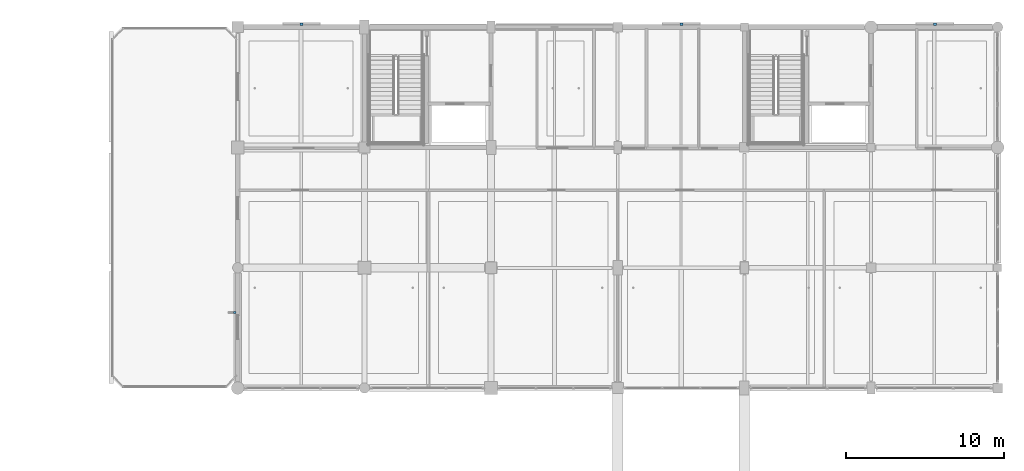
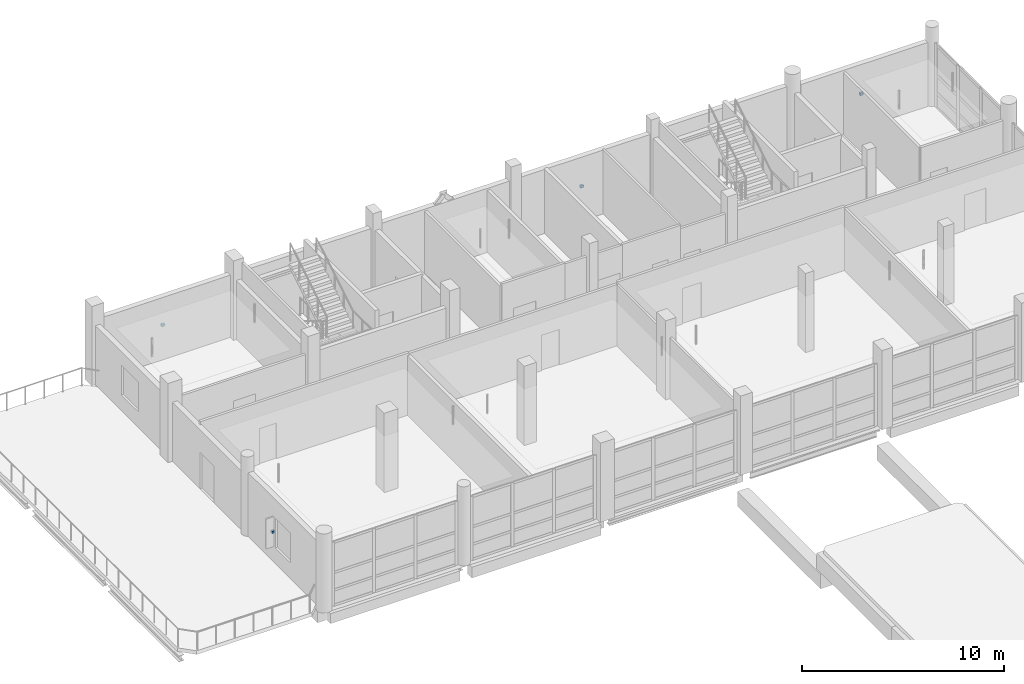
# One storey, part 96 of 107: 4 discrete accessories.
"""IFC4 building model written with IfcOpenShell, lengths in metres."""

from ifc_helpers import new_model, si_unit, direction, frame, origin, origin_2d, place, context, subcontext, project, spatial, rectangle, extrude, material, type_object, element, save


model = new_model("IFC4")

# Units and contexts
model_context = context("Model", 3, precision=1e-05, world=origin(), true_north=direction((0.0, 1.0)))
body_context = subcontext(model_context, "Body", "Model", "MODEL_VIEW")
ifc_project = project(units=[si_unit("LENGTHUNIT", "METRE"), si_unit("AREAUNIT", "SQUARE_METRE"), si_unit("VOLUMEUNIT", "CUBIC_METRE"), si_unit("PLANEANGLEUNIT", "RADIAN"), si_unit("MASSUNIT", "GRAM", prefix="KILO")], contexts=[model_context])

# Site, building, storey
site_placement = place(None, origin())
site = spatial("IfcSite", under=ifc_project, at=site_placement, CompositionType="ELEMENT")
building_placement = place(site_placement, origin())
building = spatial("IfcBuilding", under=site, at=building_placement, Name="Khelvaren Railside Concert Hall", CompositionType="ELEMENT")
storey_placement = place(building_placement, frame((0.0, 0.0, 15.0)))
storey = spatial("IfcBuildingStorey", under=building, at=storey_placement, Name="L03", CompositionType="ELEMENT", Elevation=15.0)

# Discrete accessories
ifc_material = material(Name="Architectural stainless steel Grade 316", Category="steel")
discrete_accessory_type = type_object("IfcDiscreteAccessoryType", Name="BRK87", PredefinedType="BRACKET", material=ifc_material)
discrete_accessory_placement = place(storey_placement, frame((135.81005859375, 95.967529296875, 1.7802734375), z_axis=(0.0, 0.0, 1.0), x_axis=(0.0, 1.0, 0.0)))
element("IfcDiscreteAccessory", 1, at=discrete_accessory_placement, inside=storey, type_object=discrete_accessory_type, Name="Solar Fin Bracket EW-V5-L03-W-91", PredefinedType="BRACKET", context=body_context, shape_type="SweptSolid", body=[
    extrude(rectangle(XDim=0.139892578125, YDim=0.159912109375, at=origin_2d()), origin(), (0.0, 0.0, 1.0), 0.139892578125),
])
for number, where, z_axis, x_axis, name in (
    (2, (140.02490234375, 114.179931640625, 1.7802734375), (0.0, 0.0, 1.0), (1.0, 0.0, 0.0), "Louvre Mounting Bracket EW-V5-L03-N-136"),
    (3, (164.02490234375, 114.179931640625, 1.7802734375), (0.0, 0.0, 1.0), (1.0, 0.0, 0.0), "Louvre Mounting Bracket EW-V5-L03-N-160"),
    (4, (180.03759765625, 114.179931640625, 1.7802734375), (0.0, 0.0, 1.0), (1.0, 0.0, 0.0), "Louvre Mounting Bracket EW-V5-L03-N-176"),
):
    element("IfcDiscreteAccessory", number, at=place(storey_placement, frame(where, z_axis=z_axis, x_axis=x_axis)), inside=storey, type_object=discrete_accessory_type, Name=name, PredefinedType="BRACKET", context=body_context, shape_type="SweptSolid", body=[
        extrude(rectangle(XDim=0.179931640625, YDim=0.139892578125, at=origin_2d()), origin(), (0.0, 0.0, 1.0), 0.139892578125),
    ])

save(model, "model.ifc")
